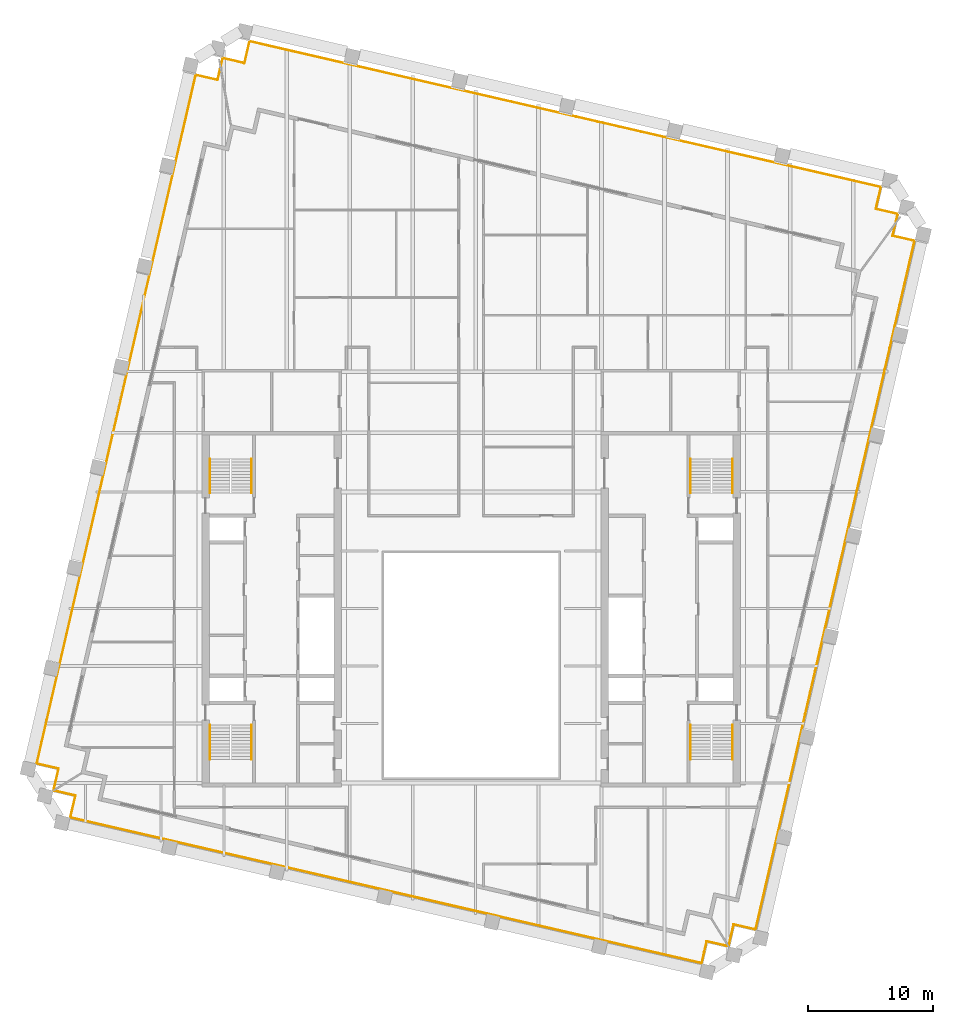
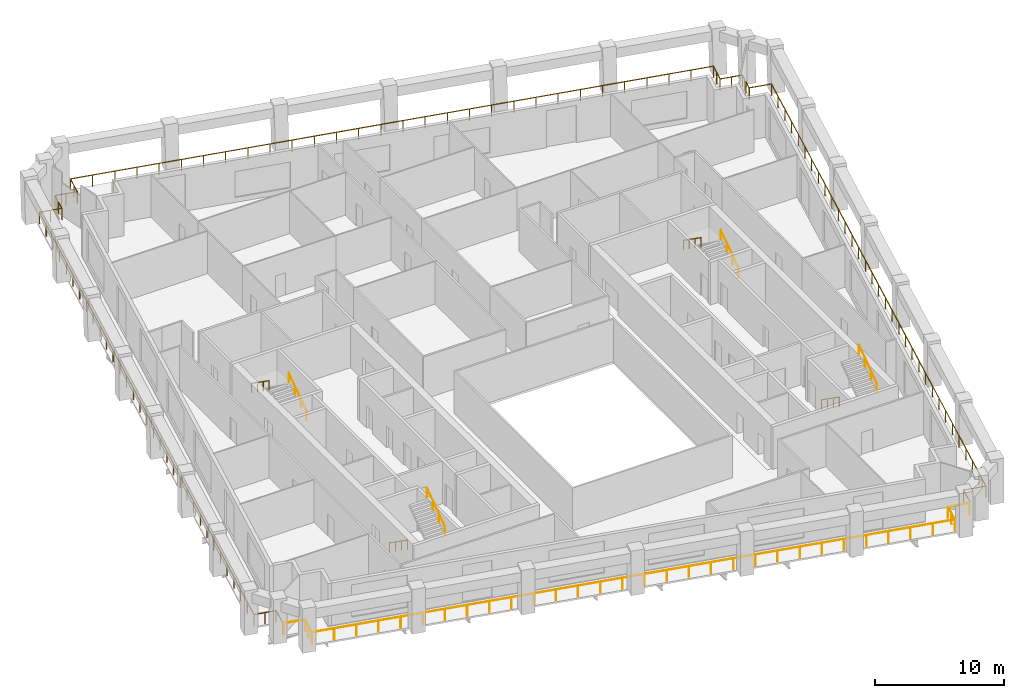
# One storey, part 10 of 10: 12 railings.
"""IFC4 building model written with IfcOpenShell, lengths in metres."""

from ifc_helpers import new_model, si_unit, direction, frame, origin, origin_2d, place, context, subcontext, project, spatial, circle, extrude, material, type_object, element, save


model = new_model("IFC4")

# Units and contexts
model_context = context("Model", 3, precision=1e-05, world=origin(), true_north=direction((0.0, 1.0)))
body_context = subcontext(model_context, "Body", "Model", "MODEL_VIEW")
ifc_project = project(units=[si_unit("LENGTHUNIT", "METRE"), si_unit("AREAUNIT", "SQUARE_METRE"), si_unit("VOLUMEUNIT", "CUBIC_METRE"), si_unit("PLANEANGLEUNIT", "RADIAN"), si_unit("MASSUNIT", "GRAM", prefix="KILO")], contexts=[model_context])

# Site, building, storey
site_placement = place(None, origin())
site = spatial("IfcSite", under=ifc_project, at=site_placement, CompositionType="ELEMENT")
building_placement = place(site_placement, origin())
building = spatial("IfcBuilding", under=site, at=building_placement, Name="Ogive Exchange Tower", CompositionType="ELEMENT")
storey_placement = place(building_placement, frame((0.0, 0.0, 272.39990234375)))
storey = spatial("IfcBuildingStorey", under=building, at=storey_placement, Name="L59", CompositionType="ELEMENT", Elevation=272.39990234375)

# Railings
ifc_material_1 = material(Name="Stainless steel 316", Category="steel")
railing_type_1 = type_object("IfcRailingType", Name="Guard 1100 stainless steel and glass", PredefinedType="GUARDRAIL", material=ifc_material_1)
railing_1_placement = place(storey_placement, frame((20.560546875, -15.527099609375, -0.0498046875)))
element("IfcRailing", 1, at=railing_1_placement, inside=storey, type_object=railing_type_1, Name="Loggia guard 1", PredefinedType="GUARDRAIL", context=body_context, shape_type="SweptSolid", body=[
    extrude(circle(Radius=0.02392578125, at=origin_2d()), frame((0.0, 0.0, 1.076171875), z_axis=(-0.974396013545, 0.224838628327, 0.0), x_axis=(-0.224838628327, -0.974396013545, 0.0)), (0.0, 0.0, 1.0), 1.7080078125),
    extrude(circle(Radius=0.02392578125, at=origin_2d()), frame((-1.664306640625, 0.384033203125, 1.076171875), z_axis=(-0.224879318197, -0.974386623598, 0.0), x_axis=(0.974386623598, -0.224879318197, 0.0)), (0.0, 0.0, 1.0), 1.800048828125),
    extrude(circle(Radius=0.02392578125, at=origin_2d()), frame((-2.069091796875, -1.369873046875, 1.076171875), z_axis=(-0.974370126852, 0.224950785504, 0.0), x_axis=(-0.224950785504, -0.974370126852, 0.0)), (0.0, 0.0, 1.0), 51.960205078125),
    extrude(circle(Radius=0.02392578125, at=origin_2d()), frame((-52.697509765625, 10.318603515625, 1.076171875), z_axis=(0.225008086135, 0.974356896201, 0.0), x_axis=(-0.974356896201, 0.225008086135, 0.0)), (0.0, 0.0, 1.0), 1.800048828125),
    extrude(circle(Radius=0.02392578125, at=origin_2d()), frame((-52.29248046875, 12.072509765625, 1.076171875), z_axis=(-0.974364690374, 0.224974332206, 0.0), x_axis=(-0.224974332206, -0.974364690374, 0.0)), (0.0, 0.0, 1.0), 1.7080078125),
    extrude(circle(Radius=0.02099609375, at=origin_2d()), origin(), (0.0, 0.0, 1.0), 1.052001953125),
    extrude(circle(Radius=0.02099609375, at=origin_2d()), frame((-1.664306640625, 0.384033203125, 0.0)), (0.0, 0.0, 1.0), 1.052001953125),
    extrude(circle(Radius=0.02099609375, at=origin_2d()), frame((-1.86669921875, -0.492919921875, 0.0)), (0.0, 0.0, 1.0), 1.052001953125),
    extrude(circle(Radius=0.02099609375, at=origin_2d()), frame((-2.069091796875, -1.369873046875, 0.0)), (0.0, 0.0, 1.0), 1.052001953125),
    extrude(circle(Radius=0.02099609375, at=origin_2d()), frame((-3.81494140625, -0.966796875, 0.0)), (0.0, 0.0, 1.0), 1.052001953125),
    extrude(circle(Radius=0.02099609375, at=origin_2d()), frame((-5.560791015625, -0.563720703125, 0.0)), (0.0, 0.0, 1.0), 1.052001953125),
    extrude(circle(Radius=0.02099609375, at=origin_2d()), frame((-7.306396484375, -0.16064453125, 0.0)), (0.0, 0.0, 1.0), 1.052001953125),
    extrude(circle(Radius=0.02099609375, at=origin_2d()), frame((-9.05224609375, 0.242431640625, 0.0)), (0.0, 0.0, 1.0), 1.052001953125),
    extrude(circle(Radius=0.02099609375, at=origin_2d()), frame((-10.798095703125, 0.645263671875, 0.0)), (0.0, 0.0, 1.0), 1.052001953125),
    extrude(circle(Radius=0.02099609375, at=origin_2d()), frame((-12.5439453125, 1.04833984375, 0.0)), (0.0, 0.0, 1.0), 1.052001953125),
    extrude(circle(Radius=0.02099609375, at=origin_2d()), frame((-14.289794921875, 1.451416015625, 0.0)), (0.0, 0.0, 1.0), 1.052001953125),
    extrude(circle(Radius=0.02099609375, at=origin_2d()), frame((-16.03564453125, 1.8544921875, 0.0)), (0.0, 0.0, 1.0), 1.052001953125),
    extrude(circle(Radius=0.02099609375, at=origin_2d()), frame((-17.78125, 2.257568359375, 0.0)), (0.0, 0.0, 1.0), 1.052001953125),
    extrude(circle(Radius=0.02099609375, at=origin_2d()), frame((-19.527099609375, 2.66064453125, 0.0)), (0.0, 0.0, 1.0), 1.052001953125),
    extrude(circle(Radius=0.02099609375, at=origin_2d()), frame((-21.27294921875, 3.063720703125, 0.0)), (0.0, 0.0, 1.0), 1.052001953125),
    extrude(circle(Radius=0.02099609375, at=origin_2d()), frame((-23.018798828125, 3.466796875, 0.0)), (0.0, 0.0, 1.0), 1.052001953125),
    extrude(circle(Radius=0.02099609375, at=origin_2d()), frame((-24.7646484375, 3.869873046875, 0.0)), (0.0, 0.0, 1.0), 1.052001953125),
    extrude(circle(Radius=0.02099609375, at=origin_2d()), frame((-26.510498046875, 4.27294921875, 0.0)), (0.0, 0.0, 1.0), 1.052001953125),
    extrude(circle(Radius=0.02099609375, at=origin_2d()), frame((-28.256103515625, 4.67578125, 0.0)), (0.0, 0.0, 1.0), 1.052001953125),
    extrude(circle(Radius=0.02099609375, at=origin_2d()), frame((-30.001953125, 5.078857421875, 0.0)), (0.0, 0.0, 1.0), 1.052001953125),
    extrude(circle(Radius=0.02099609375, at=origin_2d()), frame((-31.747802734375, 5.48193359375, 0.0)), (0.0, 0.0, 1.0), 1.052001953125),
    extrude(circle(Radius=0.02099609375, at=origin_2d()), frame((-33.49365234375, 5.885009765625, 0.0)), (0.0, 0.0, 1.0), 1.052001953125),
    extrude(circle(Radius=0.02099609375, at=origin_2d()), frame((-35.239501953125, 6.2880859375, 0.0)), (0.0, 0.0, 1.0), 1.052001953125),
    extrude(circle(Radius=0.02099609375, at=origin_2d()), frame((-36.9853515625, 6.691162109375, 0.0)), (0.0, 0.0, 1.0), 1.052001953125),
    extrude(circle(Radius=0.02099609375, at=origin_2d()), frame((-38.73095703125, 7.09423828125, 0.0)), (0.0, 0.0, 1.0), 1.052001953125),
    extrude(circle(Radius=0.02099609375, at=origin_2d()), frame((-40.476806640625, 7.497314453125, 0.0)), (0.0, 0.0, 1.0), 1.052001953125),
    extrude(circle(Radius=0.02099609375, at=origin_2d()), frame((-42.22265625, 7.900390625, 0.0)), (0.0, 0.0, 1.0), 1.052001953125),
    extrude(circle(Radius=0.02099609375, at=origin_2d()), frame((-43.968505859375, 8.303466796875, 0.0)), (0.0, 0.0, 1.0), 1.052001953125),
    extrude(circle(Radius=0.02099609375, at=origin_2d()), frame((-45.71435546875, 8.706298828125, 0.0)), (0.0, 0.0, 1.0), 1.052001953125),
    extrude(circle(Radius=0.02099609375, at=origin_2d()), frame((-47.460205078125, 9.109375, 0.0)), (0.0, 0.0, 1.0), 1.052001953125),
    extrude(circle(Radius=0.02099609375, at=origin_2d()), frame((-49.205810546875, 9.512451171875, 0.0)), (0.0, 0.0, 1.0), 1.052001953125),
    extrude(circle(Radius=0.02099609375, at=origin_2d()), frame((-50.95166015625, 9.91552734375, 0.0)), (0.0, 0.0, 1.0), 1.052001953125),
    extrude(circle(Radius=0.02099609375, at=origin_2d()), frame((-52.697509765625, 10.318603515625, 0.0)), (0.0, 0.0, 1.0), 1.052001953125),
    extrude(circle(Radius=0.02099609375, at=origin_2d()), frame((-52.4951171875, 11.195556640625, 0.0)), (0.0, 0.0, 1.0), 1.052001953125),
    extrude(circle(Radius=0.02099609375, at=origin_2d()), frame((-52.29248046875, 12.072509765625, 0.0)), (0.0, 0.0, 1.0), 1.052001953125),
    extrude(circle(Radius=0.02099609375, at=origin_2d()), frame((-53.956787109375, 12.456787109375, 0.0)), (0.0, 0.0, 1.0), 1.052001953125),
])
railing_2_placement = place(storey_placement, frame((-33.465087890625, -2.960205078125, -0.0498046875)))
element("IfcRailing", 2, at=railing_2_placement, inside=storey, type_object=railing_type_1, Name="Loggia guard 2", PredefinedType="GUARDRAIL", context=body_context, shape_type="SweptSolid", body=[
    extrude(circle(Radius=0.02392578125, at=origin_2d()), frame((0.0, 0.0, 1.076171875), z_axis=(0.224974332206, 0.974364690374, 0.0), x_axis=(-0.974364690374, 0.224974332206, 0.0)), (0.0, 0.0, 1.0), 1.7080078125),
    extrude(circle(Radius=0.02392578125, at=origin_2d()), frame((0.38427734375, 1.664306640625, 1.076171875), z_axis=(-0.974356896201, 0.225008086135, 0.0), x_axis=(-0.225008086135, -0.974356896201, 0.0)), (0.0, 0.0, 1.0), 1.800048828125),
    extrude(circle(Radius=0.02392578125, at=origin_2d()), frame((-1.36962890625, 2.0693359375, 1.076171875), z_axis=(0.224949793525, 0.974370355867, 0.0), x_axis=(-0.974370355867, 0.224949793525, 0.0)), (0.0, 0.0, 1.0), 56.67822265625),
    extrude(circle(Radius=0.02392578125, at=origin_2d()), frame((11.380126953125, 57.294921875, 1.076171875), z_axis=(0.974356896201, -0.225008086135, 0.0), x_axis=(0.225008086135, 0.974356896201, 0.0)), (0.0, 0.0, 1.0), 1.800048828125),
    extrude(circle(Radius=0.02392578125, at=origin_2d()), frame((13.134033203125, 56.889892578125, 1.076171875), z_axis=(0.224736558511, 0.974419560184, 0.0), x_axis=(-0.974419560184, 0.224736558511, 0.0)), (0.0, 0.0, 1.0), 0.8701171875),
    extrude(circle(Radius=0.02099609375, at=origin_2d()), origin(), (0.0, 0.0, 1.0), 1.052001953125),
    extrude(circle(Radius=0.02099609375, at=origin_2d()), frame((0.38427734375, 1.664306640625, 0.0)), (0.0, 0.0, 1.0), 1.052001953125),
    extrude(circle(Radius=0.02099609375, at=origin_2d()), frame((-0.49267578125, 1.86669921875, 0.0)), (0.0, 0.0, 1.0), 1.052001953125),
    extrude(circle(Radius=0.02099609375, at=origin_2d()), frame((-1.36962890625, 2.0693359375, 0.0)), (0.0, 0.0, 1.0), 1.052001953125),
    extrude(circle(Radius=0.02099609375, at=origin_2d()), frame((-0.97119140625, 3.795166015625, 0.0)), (0.0, 0.0, 1.0), 1.052001953125),
    extrude(circle(Radius=0.02099609375, at=origin_2d()), frame((-0.57275390625, 5.52099609375, 0.0)), (0.0, 0.0, 1.0), 1.052001953125),
    extrude(circle(Radius=0.02099609375, at=origin_2d()), frame((-0.17431640625, 7.246826171875, 0.0)), (0.0, 0.0, 1.0), 1.052001953125),
    extrude(circle(Radius=0.02099609375, at=origin_2d()), frame((0.22412109375, 8.97265625, 0.0)), (0.0, 0.0, 1.0), 1.052001953125),
    extrude(circle(Radius=0.02099609375, at=origin_2d()), frame((0.62255859375, 10.6982421875, 0.0)), (0.0, 0.0, 1.0), 1.052001953125),
    extrude(circle(Radius=0.02099609375, at=origin_2d()), frame((1.02099609375, 12.424072265625, 0.0)), (0.0, 0.0, 1.0), 1.052001953125),
    extrude(circle(Radius=0.02099609375, at=origin_2d()), frame((1.41943359375, 14.14990234375, 0.0)), (0.0, 0.0, 1.0), 1.052001953125),
    extrude(circle(Radius=0.02099609375, at=origin_2d()), frame((1.81787109375, 15.875732421875, 0.0)), (0.0, 0.0, 1.0), 1.052001953125),
    extrude(circle(Radius=0.02099609375, at=origin_2d()), frame((2.21630859375, 17.6015625, 0.0)), (0.0, 0.0, 1.0), 1.052001953125),
    extrude(circle(Radius=0.02099609375, at=origin_2d()), frame((2.61474609375, 19.327392578125, 0.0)), (0.0, 0.0, 1.0), 1.052001953125),
    extrude(circle(Radius=0.02099609375, at=origin_2d()), frame((3.01318359375, 21.05322265625, 0.0)), (0.0, 0.0, 1.0), 1.052001953125),
    extrude(circle(Radius=0.02099609375, at=origin_2d()), frame((3.41162109375, 22.77880859375, 0.0)), (0.0, 0.0, 1.0), 1.052001953125),
    extrude(circle(Radius=0.02099609375, at=origin_2d()), frame((3.81005859375, 24.504638671875, 0.0)), (0.0, 0.0, 1.0), 1.052001953125),
    extrude(circle(Radius=0.02099609375, at=origin_2d()), frame((4.20849609375, 26.23046875, 0.0)), (0.0, 0.0, 1.0), 1.052001953125),
    extrude(circle(Radius=0.02099609375, at=origin_2d()), frame((4.60693359375, 27.956298828125, 0.0)), (0.0, 0.0, 1.0), 1.052001953125),
    extrude(circle(Radius=0.02099609375, at=origin_2d()), frame((5.00537109375, 29.68212890625, 0.0)), (0.0, 0.0, 1.0), 1.052001953125),
    extrude(circle(Radius=0.02099609375, at=origin_2d()), frame((5.403564453125, 31.407958984375, 0.0)), (0.0, 0.0, 1.0), 1.052001953125),
    extrude(circle(Radius=0.02099609375, at=origin_2d()), frame((5.802001953125, 33.1337890625, 0.0)), (0.0, 0.0, 1.0), 1.052001953125),
    extrude(circle(Radius=0.02099609375, at=origin_2d()), frame((6.200439453125, 34.859619140625, 0.0)), (0.0, 0.0, 1.0), 1.052001953125),
    extrude(circle(Radius=0.02099609375, at=origin_2d()), frame((6.598876953125, 36.58544921875, 0.0)), (0.0, 0.0, 1.0), 1.052001953125),
    extrude(circle(Radius=0.02099609375, at=origin_2d()), frame((6.997314453125, 38.31103515625, 0.0)), (0.0, 0.0, 1.0), 1.052001953125),
    extrude(circle(Radius=0.02099609375, at=origin_2d()), frame((7.395751953125, 40.036865234375, 0.0)), (0.0, 0.0, 1.0), 1.052001953125),
    extrude(circle(Radius=0.02099609375, at=origin_2d()), frame((7.794189453125, 41.7626953125, 0.0)), (0.0, 0.0, 1.0), 1.052001953125),
    extrude(circle(Radius=0.02099609375, at=origin_2d()), frame((8.192626953125, 43.488525390625, 0.0)), (0.0, 0.0, 1.0), 1.052001953125),
    extrude(circle(Radius=0.02099609375, at=origin_2d()), frame((8.591064453125, 45.21435546875, 0.0)), (0.0, 0.0, 1.0), 1.052001953125),
    extrude(circle(Radius=0.02099609375, at=origin_2d()), frame((8.989501953125, 46.940185546875, 0.0)), (0.0, 0.0, 1.0), 1.052001953125),
    extrude(circle(Radius=0.02099609375, at=origin_2d()), frame((9.387939453125, 48.666015625, 0.0)), (0.0, 0.0, 1.0), 1.052001953125),
    extrude(circle(Radius=0.02099609375, at=origin_2d()), frame((9.786376953125, 50.3916015625, 0.0)), (0.0, 0.0, 1.0), 1.052001953125),
    extrude(circle(Radius=0.02099609375, at=origin_2d()), frame((10.184814453125, 52.117431640625, 0.0)), (0.0, 0.0, 1.0), 1.052001953125),
    extrude(circle(Radius=0.02099609375, at=origin_2d()), frame((10.583251953125, 53.84326171875, 0.0)), (0.0, 0.0, 1.0), 1.052001953125),
    extrude(circle(Radius=0.02099609375, at=origin_2d()), frame((10.981689453125, 55.569091796875, 0.0)), (0.0, 0.0, 1.0), 1.052001953125),
    extrude(circle(Radius=0.02099609375, at=origin_2d()), frame((11.380126953125, 57.294921875, 0.0)), (0.0, 0.0, 1.0), 1.052001953125),
    extrude(circle(Radius=0.02099609375, at=origin_2d()), frame((12.257080078125, 57.09228515625, 0.0)), (0.0, 0.0, 1.0), 1.052001953125),
    extrude(circle(Radius=0.02099609375, at=origin_2d()), frame((13.134033203125, 56.889892578125, 0.0)), (0.0, 0.0, 1.0), 1.052001953125),
    extrude(circle(Radius=0.02099609375, at=origin_2d()), frame((13.32958984375, 57.73779296875, 0.0)), (0.0, 0.0, 1.0), 1.052001953125),
])
railing_3_placement = place(storey_placement, frame((-20.060791015625, 55.10009765625, -0.0498046875)))
element("IfcRailing", 3, at=railing_3_placement, inside=storey, type_object=railing_type_1, Name="Loggia guard 3", PredefinedType="GUARDRAIL", context=body_context, shape_type="SweptSolid", body=[
    extrude(circle(Radius=0.02392578125, at=origin_2d()), frame((0.0, 0.0, 1.076171875), z_axis=(0.224651062896, 0.974439274629, 0.0), x_axis=(-0.974439274629, 0.224651062896, 0.0)), (0.0, 0.0, 1.0), 0.598876953125),
    extrude(circle(Radius=0.02392578125, at=origin_2d()), frame((0.134521484375, 0.58349609375, 1.076171875), z_axis=(0.974386623598, -0.224879318197, 0.0), x_axis=(0.224879318197, 0.974386623598, 0.0)), (0.0, 0.0, 1.0), 1.800048828125),
    extrude(circle(Radius=0.02392578125, at=origin_2d()), frame((1.888427734375, 0.1787109375, 1.076171875), z_axis=(0.225008086135, 0.974356896201, 0.0), x_axis=(-0.974356896201, 0.225008086135, 0.0)), (0.0, 0.0, 1.0), 1.800048828125),
    extrude(circle(Radius=0.02392578125, at=origin_2d()), frame((2.29345703125, 1.9326171875, 1.076171875), z_axis=(0.974368859202, -0.224956276237, 0.0), x_axis=(0.224956276237, 0.974368859202, 0.0)), (0.0, 0.0, 1.0), 51.9599609375),
    extrude(circle(Radius=0.02392578125, at=origin_2d()), frame((52.921630859375, -9.756103515625, 1.076171875), z_axis=(-0.225008086135, -0.974356896201, 0.0), x_axis=(0.974356896201, -0.225008086135, 0.0)), (0.0, 0.0, 1.0), 1.800048828125),
    extrude(circle(Radius=0.02392578125, at=origin_2d()), frame((52.5166015625, -11.510009765625, 1.076171875), z_axis=(0.974386623598, -0.224879318197, 0.0), x_axis=(0.224879318197, 0.974386623598, 0.0)), (0.0, 0.0, 1.0), 1.800048828125),
    extrude(circle(Radius=0.02392578125, at=origin_2d()), frame((54.2705078125, -11.914794921875, 1.076171875), z_axis=(-0.224651062896, -0.974439274629, 0.0), x_axis=(0.974439274629, -0.224651062896, 0.0)), (0.0, 0.0, 1.0), 0.598876953125),
    extrude(circle(Radius=0.02099609375, at=origin_2d()), origin(), (0.0, 0.0, 1.0), 1.052001953125),
    extrude(circle(Radius=0.02099609375, at=origin_2d()), frame((0.134521484375, 0.58349609375, 0.0)), (0.0, 0.0, 1.0), 1.052001953125),
    extrude(circle(Radius=0.02099609375, at=origin_2d()), frame((1.011474609375, 0.381103515625, 0.0)), (0.0, 0.0, 1.0), 1.052001953125),
    extrude(circle(Radius=0.02099609375, at=origin_2d()), frame((1.888427734375, 0.1787109375, 0.0)), (0.0, 0.0, 1.0), 1.052001953125),
    extrude(circle(Radius=0.02099609375, at=origin_2d()), frame((2.0908203125, 1.0556640625, 0.0)), (0.0, 0.0, 1.0), 1.052001953125),
    extrude(circle(Radius=0.02099609375, at=origin_2d()), frame((2.29345703125, 1.9326171875, 0.0)), (0.0, 0.0, 1.0), 1.052001953125),
    extrude(circle(Radius=0.02099609375, at=origin_2d()), frame((4.039306640625, 1.529541015625, 0.0)), (0.0, 0.0, 1.0), 1.052001953125),
    extrude(circle(Radius=0.02099609375, at=origin_2d()), frame((5.78515625, 1.12646484375, 0.0)), (0.0, 0.0, 1.0), 1.052001953125),
    extrude(circle(Radius=0.02099609375, at=origin_2d()), frame((7.53076171875, 0.723388671875, 0.0)), (0.0, 0.0, 1.0), 1.052001953125),
    extrude(circle(Radius=0.02099609375, at=origin_2d()), frame((9.276611328125, 0.3203125, 0.0)), (0.0, 0.0, 1.0), 1.052001953125),
    extrude(circle(Radius=0.02099609375, at=origin_2d()), frame((11.0224609375, -0.082763671875, 0.0)), (0.0, 0.0, 1.0), 1.052001953125),
    extrude(circle(Radius=0.02099609375, at=origin_2d()), frame((12.768310546875, -0.48583984375, 0.0)), (0.0, 0.0, 1.0), 1.052001953125),
    extrude(circle(Radius=0.02099609375, at=origin_2d()), frame((14.51416015625, -0.888916015625, 0.0)), (0.0, 0.0, 1.0), 1.052001953125),
    extrude(circle(Radius=0.02099609375, at=origin_2d()), frame((16.259765625, -1.291748046875, 0.0)), (0.0, 0.0, 1.0), 1.052001953125),
    extrude(circle(Radius=0.02099609375, at=origin_2d()), frame((18.005615234375, -1.69482421875, 0.0)), (0.0, 0.0, 1.0), 1.052001953125),
    extrude(circle(Radius=0.02099609375, at=origin_2d()), frame((19.75146484375, -2.097900390625, 0.0)), (0.0, 0.0, 1.0), 1.052001953125),
    extrude(circle(Radius=0.02099609375, at=origin_2d()), frame((21.497314453125, -2.5009765625, 0.0)), (0.0, 0.0, 1.0), 1.052001953125),
    extrude(circle(Radius=0.02099609375, at=origin_2d()), frame((23.2431640625, -2.904052734375, 0.0)), (0.0, 0.0, 1.0), 1.052001953125),
    extrude(circle(Radius=0.02099609375, at=origin_2d()), frame((24.98876953125, -3.30712890625, 0.0)), (0.0, 0.0, 1.0), 1.052001953125),
    extrude(circle(Radius=0.02099609375, at=origin_2d()), frame((26.734619140625, -3.710205078125, 0.0)), (0.0, 0.0, 1.0), 1.052001953125),
    extrude(circle(Radius=0.02099609375, at=origin_2d()), frame((28.48046875, -4.11328125, 0.0)), (0.0, 0.0, 1.0), 1.052001953125),
    extrude(circle(Radius=0.02099609375, at=origin_2d()), frame((30.226318359375, -4.516357421875, 0.0)), (0.0, 0.0, 1.0), 1.052001953125),
    extrude(circle(Radius=0.02099609375, at=origin_2d()), frame((31.971923828125, -4.91943359375, 0.0)), (0.0, 0.0, 1.0), 1.052001953125),
    extrude(circle(Radius=0.02099609375, at=origin_2d()), frame((33.7177734375, -5.322509765625, 0.0)), (0.0, 0.0, 1.0), 1.052001953125),
    extrude(circle(Radius=0.02099609375, at=origin_2d()), frame((35.463623046875, -5.7255859375, 0.0)), (0.0, 0.0, 1.0), 1.052001953125),
    extrude(circle(Radius=0.02099609375, at=origin_2d()), frame((37.20947265625, -6.128662109375, 0.0)), (0.0, 0.0, 1.0), 1.052001953125),
    extrude(circle(Radius=0.02099609375, at=origin_2d()), frame((38.955322265625, -6.53173828125, 0.0)), (0.0, 0.0, 1.0), 1.052001953125),
    extrude(circle(Radius=0.02099609375, at=origin_2d()), frame((40.700927734375, -6.9345703125, 0.0)), (0.0, 0.0, 1.0), 1.052001953125),
    extrude(circle(Radius=0.02099609375, at=origin_2d()), frame((42.44677734375, -7.337646484375, 0.0)), (0.0, 0.0, 1.0), 1.052001953125),
    extrude(circle(Radius=0.02099609375, at=origin_2d()), frame((44.192626953125, -7.74072265625, 0.0)), (0.0, 0.0, 1.0), 1.052001953125),
    extrude(circle(Radius=0.02099609375, at=origin_2d()), frame((45.9384765625, -8.143798828125, 0.0)), (0.0, 0.0, 1.0), 1.052001953125),
    extrude(circle(Radius=0.02099609375, at=origin_2d()), frame((47.684326171875, -8.546875, 0.0)), (0.0, 0.0, 1.0), 1.052001953125),
    extrude(circle(Radius=0.02099609375, at=origin_2d()), frame((49.429931640625, -8.949951171875, 0.0)), (0.0, 0.0, 1.0), 1.052001953125),
    extrude(circle(Radius=0.02099609375, at=origin_2d()), frame((51.17578125, -9.35302734375, 0.0)), (0.0, 0.0, 1.0), 1.052001953125),
    extrude(circle(Radius=0.02099609375, at=origin_2d()), frame((52.921630859375, -9.756103515625, 0.0)), (0.0, 0.0, 1.0), 1.052001953125),
    extrude(circle(Radius=0.02099609375, at=origin_2d()), frame((52.71923828125, -10.633056640625, 0.0)), (0.0, 0.0, 1.0), 1.052001953125),
    extrude(circle(Radius=0.02099609375, at=origin_2d()), frame((52.5166015625, -11.510009765625, 0.0)), (0.0, 0.0, 1.0), 1.052001953125),
    extrude(circle(Radius=0.02099609375, at=origin_2d()), frame((53.3935546875, -11.71240234375, 0.0)), (0.0, 0.0, 1.0), 1.052001953125),
    extrude(circle(Radius=0.02099609375, at=origin_2d()), frame((54.2705078125, -11.914794921875, 0.0)), (0.0, 0.0, 1.0), 1.052001953125),
    extrude(circle(Radius=0.02099609375, at=origin_2d()), frame((54.135986328125, -12.498291015625, 0.0)), (0.0, 0.0, 1.0), 1.052001953125),
])
railing_4_placement = place(storey_placement, frame((34.00048828125, 42.279296875, -0.0498046875)))
element("IfcRailing", 4, at=railing_4_placement, inside=storey, type_object=railing_type_1, Name="Loggia guard 4", PredefinedType="GUARDRAIL", context=body_context, shape_type="SweptSolid", body=[
    extrude(circle(Radius=0.02392578125, at=origin_2d()), frame((0.0, 0.0, 1.076171875), z_axis=(-0.224736558511, -0.974419560184, 0.0), x_axis=(0.974419560184, -0.224736558511, 0.0)), (0.0, 0.0, 1.0), 0.8701171875),
    extrude(circle(Radius=0.02392578125, at=origin_2d()), frame((-0.195556640625, -0.847900390625, 1.076171875), z_axis=(0.974379763188, -0.224909041816, 0.0), x_axis=(0.224909041816, 0.974379763188, 0.0)), (0.0, 0.0, 1.0), 1.7998046875),
    extrude(circle(Radius=0.02392578125, at=origin_2d()), frame((1.55810546875, -1.252685546875, 1.076171875), z_axis=(-0.224949793525, -0.974370355867, 0.0), x_axis=(0.974370355867, -0.224949793525, 0.0)), (0.0, 0.0, 1.0), 56.67822265625),
    extrude(circle(Radius=0.02392578125, at=origin_2d()), frame((-11.191650390625, -56.478271484375, 1.076171875), z_axis=(-0.974379763188, 0.224909041816, 0.0), x_axis=(-0.224909041816, -0.974379763188, 0.0)), (0.0, 0.0, 1.0), 1.7998046875),
    extrude(circle(Radius=0.02392578125, at=origin_2d()), frame((-12.9453125, -56.073486328125, 1.076171875), z_axis=(-0.224974332206, -0.974364690374, 0.0), x_axis=(0.974364690374, -0.224974332206, 0.0)), (0.0, 0.0, 1.0), 1.7080078125),
    extrude(circle(Radius=0.02099609375, at=origin_2d()), origin(), (0.0, 0.0, 1.0), 1.052001953125),
    extrude(circle(Radius=0.02099609375, at=origin_2d()), frame((-0.195556640625, -0.847900390625, 0.0)), (0.0, 0.0, 1.0), 1.052001953125),
    extrude(circle(Radius=0.02099609375, at=origin_2d()), frame((1.55810546875, -1.252685546875, 0.0)), (0.0, 0.0, 1.0), 1.052001953125),
    extrude(circle(Radius=0.02099609375, at=origin_2d()), frame((1.15966796875, -2.978515625, 0.0)), (0.0, 0.0, 1.0), 1.052001953125),
    extrude(circle(Radius=0.02099609375, at=origin_2d()), frame((0.76123046875, -4.704345703125, 0.0)), (0.0, 0.0, 1.0), 1.052001953125),
    extrude(circle(Radius=0.02099609375, at=origin_2d()), frame((0.36279296875, -6.43017578125, 0.0)), (0.0, 0.0, 1.0), 1.052001953125),
    extrude(circle(Radius=0.02099609375, at=origin_2d()), frame((-0.03564453125, -8.15576171875, 0.0)), (0.0, 0.0, 1.0), 1.052001953125),
    extrude(circle(Radius=0.02099609375, at=origin_2d()), frame((-0.43408203125, -9.881591796875, 0.0)), (0.0, 0.0, 1.0), 1.052001953125),
    extrude(circle(Radius=0.02099609375, at=origin_2d()), frame((-0.83251953125, -11.607421875, 0.0)), (0.0, 0.0, 1.0), 1.052001953125),
    extrude(circle(Radius=0.02099609375, at=origin_2d()), frame((-1.23095703125, -13.333251953125, 0.0)), (0.0, 0.0, 1.0), 1.052001953125),
    extrude(circle(Radius=0.02099609375, at=origin_2d()), frame((-1.62939453125, -15.05908203125, 0.0)), (0.0, 0.0, 1.0), 1.052001953125),
    extrude(circle(Radius=0.02099609375, at=origin_2d()), frame((-2.02783203125, -16.784912109375, 0.0)), (0.0, 0.0, 1.0), 1.052001953125),
    extrude(circle(Radius=0.02099609375, at=origin_2d()), frame((-2.42626953125, -18.5107421875, 0.0)), (0.0, 0.0, 1.0), 1.052001953125),
    extrude(circle(Radius=0.02099609375, at=origin_2d()), frame((-2.82470703125, -20.236572265625, 0.0)), (0.0, 0.0, 1.0), 1.052001953125),
    extrude(circle(Radius=0.02099609375, at=origin_2d()), frame((-3.22314453125, -21.96240234375, 0.0)), (0.0, 0.0, 1.0), 1.052001953125),
    extrude(circle(Radius=0.02099609375, at=origin_2d()), frame((-3.62158203125, -23.68798828125, 0.0)), (0.0, 0.0, 1.0), 1.052001953125),
    extrude(circle(Radius=0.02099609375, at=origin_2d()), frame((-4.02001953125, -25.413818359375, 0.0)), (0.0, 0.0, 1.0), 1.052001953125),
    extrude(circle(Radius=0.02099609375, at=origin_2d()), frame((-4.41845703125, -27.1396484375, 0.0)), (0.0, 0.0, 1.0), 1.052001953125),
    extrude(circle(Radius=0.02099609375, at=origin_2d()), frame((-4.81689453125, -28.865478515625, 0.0)), (0.0, 0.0, 1.0), 1.052001953125),
    extrude(circle(Radius=0.02099609375, at=origin_2d()), frame((-5.215087890625, -30.59130859375, 0.0)), (0.0, 0.0, 1.0), 1.052001953125),
    extrude(circle(Radius=0.02099609375, at=origin_2d()), frame((-5.613525390625, -32.317138671875, 0.0)), (0.0, 0.0, 1.0), 1.052001953125),
    extrude(circle(Radius=0.02099609375, at=origin_2d()), frame((-6.011962890625, -34.04296875, 0.0)), (0.0, 0.0, 1.0), 1.052001953125),
    extrude(circle(Radius=0.02099609375, at=origin_2d()), frame((-6.410400390625, -35.7685546875, 0.0)), (0.0, 0.0, 1.0), 1.052001953125),
    extrude(circle(Radius=0.02099609375, at=origin_2d()), frame((-6.808837890625, -37.494384765625, 0.0)), (0.0, 0.0, 1.0), 1.052001953125),
    extrude(circle(Radius=0.02099609375, at=origin_2d()), frame((-7.207275390625, -39.22021484375, 0.0)), (0.0, 0.0, 1.0), 1.052001953125),
    extrude(circle(Radius=0.02099609375, at=origin_2d()), frame((-7.605712890625, -40.946044921875, 0.0)), (0.0, 0.0, 1.0), 1.052001953125),
    extrude(circle(Radius=0.02099609375, at=origin_2d()), frame((-8.004150390625, -42.671875, 0.0)), (0.0, 0.0, 1.0), 1.052001953125),
    extrude(circle(Radius=0.02099609375, at=origin_2d()), frame((-8.402587890625, -44.397705078125, 0.0)), (0.0, 0.0, 1.0), 1.052001953125),
    extrude(circle(Radius=0.02099609375, at=origin_2d()), frame((-8.801025390625, -46.12353515625, 0.0)), (0.0, 0.0, 1.0), 1.052001953125),
    extrude(circle(Radius=0.02099609375, at=origin_2d()), frame((-9.199462890625, -47.849365234375, 0.0)), (0.0, 0.0, 1.0), 1.052001953125),
    extrude(circle(Radius=0.02099609375, at=origin_2d()), frame((-9.597900390625, -49.5751953125, 0.0)), (0.0, 0.0, 1.0), 1.052001953125),
    extrude(circle(Radius=0.02099609375, at=origin_2d()), frame((-9.996337890625, -51.30078125, 0.0)), (0.0, 0.0, 1.0), 1.052001953125),
    extrude(circle(Radius=0.02099609375, at=origin_2d()), frame((-10.394775390625, -53.026611328125, 0.0)), (0.0, 0.0, 1.0), 1.052001953125),
    extrude(circle(Radius=0.02099609375, at=origin_2d()), frame((-10.793212890625, -54.75244140625, 0.0)), (0.0, 0.0, 1.0), 1.052001953125),
    extrude(circle(Radius=0.02099609375, at=origin_2d()), frame((-11.191650390625, -56.478271484375, 0.0)), (0.0, 0.0, 1.0), 1.052001953125),
    extrude(circle(Radius=0.02099609375, at=origin_2d()), frame((-12.9453125, -56.073486328125, 0.0)), (0.0, 0.0, 1.0), 1.052001953125),
    extrude(circle(Radius=0.02099609375, at=origin_2d()), frame((-13.32958984375, -57.73779296875, 0.0)), (0.0, 0.0, 1.0), 1.052001953125),
])
ifc_material_2 = material(Name="Stainless steel", Category="steel")
railing_type_2 = type_object("IfcRailingType", Name="Stair handrail 900", PredefinedType="HANDRAIL", material=ifc_material_2)
railing_5_placement = place(storey_placement, frame((-20.949951171875, 2.199951171875, 0.175048828125)))
element("IfcRailing", 5, at=railing_5_placement, inside=storey, type_object=railing_type_2, Name="L59 ST1 stair handrail 1", PredefinedType="HANDRAIL", context=body_context, shape_type="SweptSolid", body=[
    extrude(circle(Radius=0.02392578125, at=origin_2d()), frame((0.0, 0.0, 0.8759765625), z_axis=(0.0, -0.819225086817, 0.573472106672), x_axis=(1.0, 0.0, 0.0)), (0.0, 0.0, 1.0), 3.35693359375),
    extrude(circle(Radius=0.02099609375, at=origin_2d()), origin(), (0.0, 0.0, 1.0), 0.851806640625),
    extrude(circle(Radius=0.02099609375, at=origin_2d()), frame((0.0, -0.916748046875, 0.6416015625)), (0.0, 0.0, 1.0), 0.851806640625),
    extrude(circle(Radius=0.02099609375, at=origin_2d()), frame((0.0, -1.833251953125, 1.283447265625)), (0.0, 0.0, 1.0), 0.851806640625),
    extrude(circle(Radius=0.02099609375, at=origin_2d()), frame((0.0, -2.75, 1.925048828125)), (0.0, 0.0, 1.0), 0.851806640625),
])
for number, where, name in (
    (6, (-17.60009765625, -0.550048828125, 2.275146484375), "L59 ST1 stair handrail 2"),
    (7, (-17.60009765625, 20.800048828125, 0.175048828125), "L59 ST2 stair handrail 1"),
):
    element("IfcRailing", number, at=place(storey_placement, frame(where)), inside=storey, type_object=railing_type_2, Name=name, PredefinedType="HANDRAIL", context=body_context, shape_type="SweptSolid", body=[
        extrude(circle(Radius=0.02392578125, at=origin_2d()), frame((0.0, 0.0, 0.8759765625), z_axis=(0.0, 0.819225086817, 0.573472106672), x_axis=(-1.0, 0.0, 0.0)), (0.0, 0.0, 1.0), 3.35693359375),
        extrude(circle(Radius=0.02099609375, at=origin_2d()), origin(), (0.0, 0.0, 1.0), 0.851806640625),
        extrude(circle(Radius=0.02099609375, at=origin_2d()), frame((0.0, 0.916748046875, 0.6416015625)), (0.0, 0.0, 1.0), 0.851806640625),
        extrude(circle(Radius=0.02099609375, at=origin_2d()), frame((0.0, 1.833251953125, 1.283447265625)), (0.0, 0.0, 1.0), 0.851806640625),
        extrude(circle(Radius=0.02099609375, at=origin_2d()), frame((0.0, 2.75, 1.925048828125)), (0.0, 0.0, 1.0), 0.851806640625),
    ])
for number, where, name in (
    (8, (-20.949951171875, 23.550048828125, 2.275146484375), "L59 ST2 stair handrail 2"),
    (9, (17.60009765625, 2.199951171875, 0.175048828125), "L59 ST3 stair handrail 1"),
):
    element("IfcRailing", number, at=place(storey_placement, frame(where)), inside=storey, type_object=railing_type_2, Name=name, PredefinedType="HANDRAIL", context=body_context, shape_type="SweptSolid", body=[
        extrude(circle(Radius=0.02392578125, at=origin_2d()), frame((0.0, 0.0, 0.8759765625), z_axis=(0.0, -0.819225086817, 0.573472106672), x_axis=(1.0, 0.0, 0.0)), (0.0, 0.0, 1.0), 3.35693359375),
        extrude(circle(Radius=0.02099609375, at=origin_2d()), origin(), (0.0, 0.0, 1.0), 0.851806640625),
        extrude(circle(Radius=0.02099609375, at=origin_2d()), frame((0.0, -0.916748046875, 0.6416015625)), (0.0, 0.0, 1.0), 0.851806640625),
        extrude(circle(Radius=0.02099609375, at=origin_2d()), frame((0.0, -1.833251953125, 1.283447265625)), (0.0, 0.0, 1.0), 0.851806640625),
        extrude(circle(Radius=0.02099609375, at=origin_2d()), frame((0.0, -2.75, 1.925048828125)), (0.0, 0.0, 1.0), 0.851806640625),
    ])
for number, where, name in (
    (10, (20.949951171875, -0.550048828125, 2.275146484375), "L59 ST3 stair handrail 2"),
    (11, (20.949951171875, 20.800048828125, 0.175048828125), "L59 ST4 stair handrail 1"),
):
    element("IfcRailing", number, at=place(storey_placement, frame(where)), inside=storey, type_object=railing_type_2, Name=name, PredefinedType="HANDRAIL", context=body_context, shape_type="SweptSolid", body=[
        extrude(circle(Radius=0.02392578125, at=origin_2d()), frame((0.0, 0.0, 0.8759765625), z_axis=(0.0, 0.819225086817, 0.573472106672), x_axis=(-1.0, 0.0, 0.0)), (0.0, 0.0, 1.0), 3.35693359375),
        extrude(circle(Radius=0.02099609375, at=origin_2d()), origin(), (0.0, 0.0, 1.0), 0.851806640625),
        extrude(circle(Radius=0.02099609375, at=origin_2d()), frame((0.0, 0.916748046875, 0.6416015625)), (0.0, 0.0, 1.0), 0.851806640625),
        extrude(circle(Radius=0.02099609375, at=origin_2d()), frame((0.0, 1.833251953125, 1.283447265625)), (0.0, 0.0, 1.0), 0.851806640625),
        extrude(circle(Radius=0.02099609375, at=origin_2d()), frame((0.0, 2.75, 1.925048828125)), (0.0, 0.0, 1.0), 0.851806640625),
    ])
railing_6_placement = place(storey_placement, frame((17.60009765625, 23.550048828125, 2.275146484375)))
element("IfcRailing", 12, at=railing_6_placement, inside=storey, type_object=railing_type_2, Name="L59 ST4 stair handrail 2", PredefinedType="HANDRAIL", context=body_context, shape_type="SweptSolid", body=[
    extrude(circle(Radius=0.02392578125, at=origin_2d()), frame((0.0, 0.0, 0.8759765625), z_axis=(0.0, -0.819225086817, 0.573472106672), x_axis=(1.0, 0.0, 0.0)), (0.0, 0.0, 1.0), 3.35693359375),
    extrude(circle(Radius=0.02099609375, at=origin_2d()), origin(), (0.0, 0.0, 1.0), 0.851806640625),
    extrude(circle(Radius=0.02099609375, at=origin_2d()), frame((0.0, -0.916748046875, 0.6416015625)), (0.0, 0.0, 1.0), 0.851806640625),
    extrude(circle(Radius=0.02099609375, at=origin_2d()), frame((0.0, -1.833251953125, 1.283447265625)), (0.0, 0.0, 1.0), 0.851806640625),
    extrude(circle(Radius=0.02099609375, at=origin_2d()), frame((0.0, -2.75, 1.925048828125)), (0.0, 0.0, 1.0), 0.851806640625),
])

save(model, "model.ifc")
